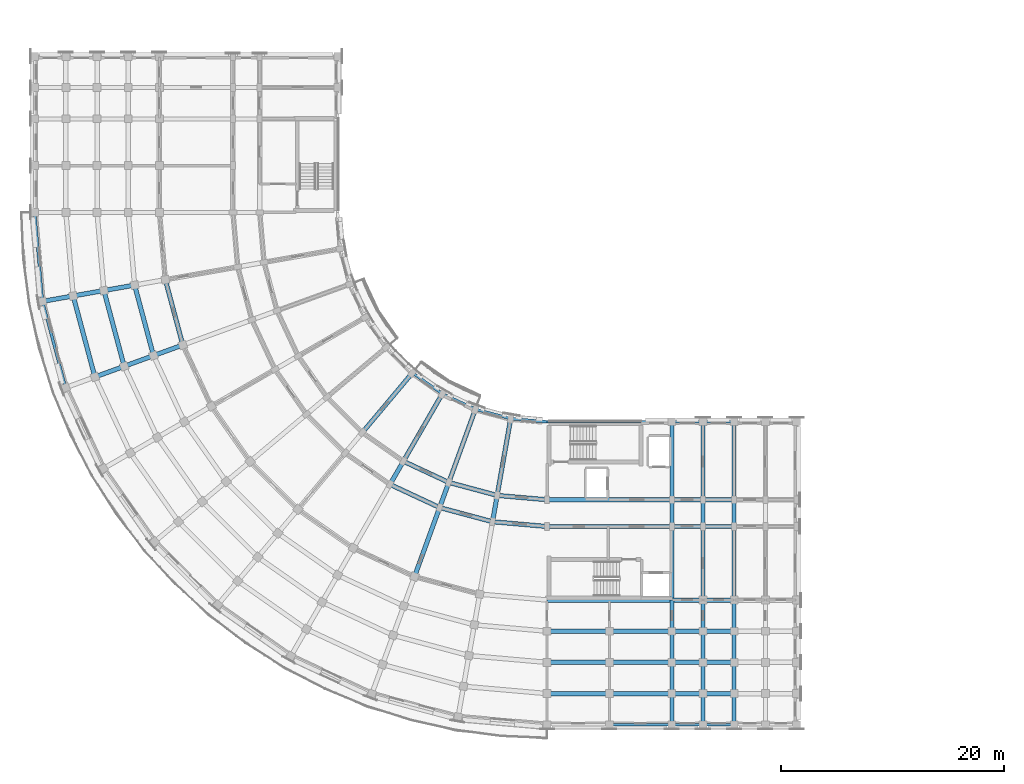
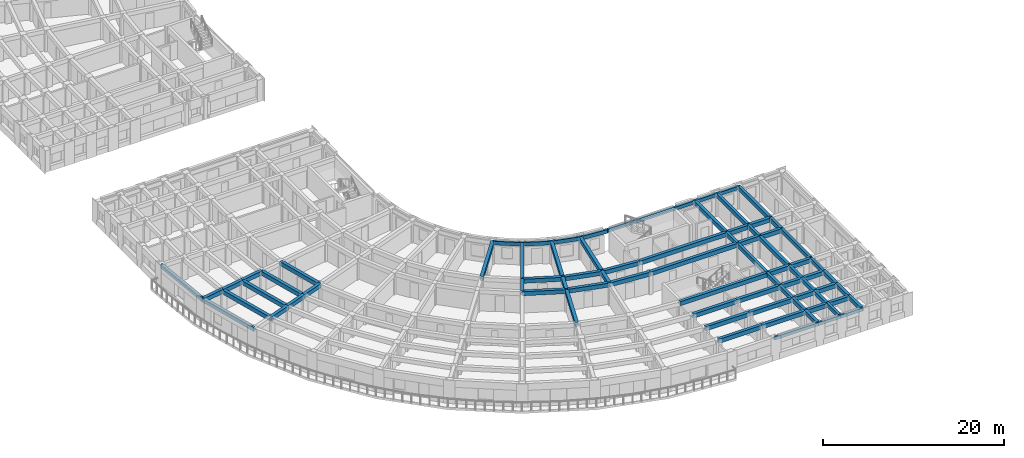
# One storey, part 5 of 57: 78 beams.
"""IFC4 building model written with IfcOpenShell, lengths in metres."""

from ifc_helpers import new_model, si_unit, direction, frame, origin, origin_2d, place, context, subcontext, project, spatial, rectangle, extrude, material, material_profile, profile_set, type_object, element, save


model = new_model("IFC4")

# Units and contexts
model_context = context("Model", 3, precision=1e-05, world=origin(), true_north=direction((0.0, 1.0)))
body_context = subcontext(model_context, "Body", "Model", "MODEL_VIEW")
ifc_project = project(units=[si_unit("LENGTHUNIT", "METRE"), si_unit("AREAUNIT", "SQUARE_METRE"), si_unit("VOLUMEUNIT", "CUBIC_METRE"), si_unit("PLANEANGLEUNIT", "RADIAN"), si_unit("MASSUNIT", "GRAM", prefix="KILO")], contexts=[model_context])

# Site, building, storey
site_placement = place(None, origin())
site = spatial("IfcSite", under=ifc_project, at=site_placement, CompositionType="ELEMENT")
building_placement = place(site_placement, origin())
building = spatial("IfcBuilding", under=site, at=building_placement, Name="Kiranvali Square Residences", CompositionType="ELEMENT")
storey_placement = place(building_placement, frame((0.0, 0.0, 18.14990234375)))
storey = spatial("IfcBuildingStorey", under=building, at=storey_placement, Name="L05", CompositionType="ELEMENT", Elevation=18.14990234375)

# Beams
ifc_material_1 = material(Name="Concrete M40 (40 MPa)", Category="concrete")
ifc_material_profile_1 = material_profile(ifc_material_1, rectangle(XDim=0.35009765625, YDim=0.550048828125, at=origin_2d()), Name="RC 350x550")
ifc_profile_set_1 = profile_set([ifc_material_profile_1], Name="Concrete M40 (40 MPa)")
beam_type_1 = type_object("IfcBeamType", Name="BM-M40-350x550", PredefinedType="BEAM", material=ifc_profile_set_1)
beam_1_placement = place(storey_placement, frame((59.39990234375, 29.39990234375, 2.655029296875), z_axis=(0.0, -1.0, 0.0), x_axis=(1.0, 0.0, 0.0)))
element("IfcBeam", 1, at=beam_1_placement, inside=storey, type_object=beam_type_1, Name="L05 beam BM-C-L05-A1T1-01", PredefinedType="BEAM", context=body_context, shape_type="SweptSolid", body=[
    extrude(rectangle(XDim=0.35009765625, YDim=0.550048828125, at=origin_2d()), origin(), (0.0, 0.0, 1.0), 7.0),
])
beam_2_placement = place(storey_placement, frame((59.39990234375, 22.39990234375, 2.655029296875), z_axis=(0.0, -1.0, 0.0), x_axis=(1.0, 0.0, 0.0)))
element("IfcBeam", 2, at=beam_2_placement, inside=storey, type_object=beam_type_1, Name="L05 beam BM-C-L05-A1T1-12", PredefinedType="BEAM", context=body_context, shape_type="SweptSolid", body=[
    extrude(rectangle(XDim=0.35009765625, YDim=0.550048828125, at=origin_2d()), origin(), (0.0, 0.0, 1.0), 2.39990234375),
])
beam_3_placement = place(storey_placement, frame((59.39990234375, 20.0, 2.655029296875), z_axis=(0.0, -1.0, 0.0), x_axis=(1.0, 0.0, 0.0)))
element("IfcBeam", 3, at=beam_3_placement, inside=storey, type_object=beam_type_1, Name="L05 beam BM-C-L05-A1T1-23", PredefinedType="BEAM", context=body_context, shape_type="SweptSolid", body=[
    extrude(rectangle(XDim=0.35009765625, YDim=0.550048828125, at=origin_2d()), origin(), (0.0, 0.0, 1.0), 6.60009765625),
])
beam_4_placement = place(storey_placement, frame((59.39990234375, 13.39990234375, 2.655029296875), z_axis=(0.0, -1.0, 0.0), x_axis=(1.0, 0.0, 0.0)))
element("IfcBeam", 4, at=beam_4_placement, inside=storey, type_object=beam_type_1, Name="L05 beam BM-C-L05-A1T1-34", PredefinedType="BEAM", context=body_context, shape_type="SweptSolid", body=[
    extrude(rectangle(XDim=0.35009765625, YDim=0.550048828125, at=origin_2d()), origin(), (0.0, 0.0, 1.0), 2.7998046875),
])
for number, where, z_axis, x_axis, name in (
    (5, (59.39990234375, 10.60009765625, 2.655029296875), (0.0, -1.0, 0.0), (1.0, 0.0, 0.0), "L05 beam BM-C-L05-A1T1-45"),
    (6, (59.39990234375, 7.800048828125, 2.655029296875), (0.0, -1.0, 0.0), (1.0, 0.0, 0.0), "L05 beam BM-C-L05-A1T1-56"),
    (7, (59.39990234375, 5.0, 2.695068359375), (0.0, -1.0, 0.0), (1.0, 0.0, 0.0), "L05 beam BM-C-L05-A1T1-67"),
):
    element("IfcBeam", number, at=place(storey_placement, frame(where, z_axis=z_axis, x_axis=x_axis)), inside=storey, type_object=beam_type_1, Name=name, PredefinedType="BEAM", context=body_context, shape_type="SweptSolid", body=[
        extrude(rectangle(XDim=0.35009765625, YDim=0.550048828125, at=origin_2d()), origin(), (0.0, 0.0, 1.0), 2.800048828125),
    ])
beam_5_placement = place(storey_placement, frame((62.199951171875, 29.39990234375, 2.655029296875), z_axis=(0.0, -1.0, 0.0), x_axis=(1.0, 0.0, 0.0)))
element("IfcBeam", 8, at=beam_5_placement, inside=storey, type_object=beam_type_1, Name="L05 beam BM-C-L05-A1T2-01", PredefinedType="BEAM", context=body_context, shape_type="SweptSolid", body=[
    extrude(rectangle(XDim=0.35009765625, YDim=0.550048828125, at=origin_2d()), origin(), (0.0, 0.0, 1.0), 7.0),
])
beam_6_placement = place(storey_placement, frame((62.199951171875, 22.39990234375, 2.655029296875), z_axis=(0.0, -1.0, 0.0), x_axis=(1.0, 0.0, 0.0)))
element("IfcBeam", 9, at=beam_6_placement, inside=storey, type_object=beam_type_1, Name="L05 beam BM-C-L05-A1T2-12", PredefinedType="BEAM", context=body_context, shape_type="SweptSolid", body=[
    extrude(rectangle(XDim=0.35009765625, YDim=0.550048828125, at=origin_2d()), origin(), (0.0, 0.0, 1.0), 2.39990234375),
])
beam_7_placement = place(storey_placement, frame((62.199951171875, 20.0, 2.655029296875), z_axis=(0.0, -1.0, 0.0), x_axis=(1.0, 0.0, 0.0)))
element("IfcBeam", 10, at=beam_7_placement, inside=storey, type_object=beam_type_1, Name="L05 beam BM-C-L05-A1T2-23", PredefinedType="BEAM", context=body_context, shape_type="SweptSolid", body=[
    extrude(rectangle(XDim=0.35009765625, YDim=0.550048828125, at=origin_2d()), origin(), (0.0, 0.0, 1.0), 6.60009765625),
])
beam_8_placement = place(storey_placement, frame((62.199951171875, 13.39990234375, 2.655029296875), z_axis=(0.0, -1.0, 0.0), x_axis=(1.0, 0.0, 0.0)))
element("IfcBeam", 11, at=beam_8_placement, inside=storey, type_object=beam_type_1, Name="L05 beam BM-C-L05-A1T2-34", PredefinedType="BEAM", context=body_context, shape_type="SweptSolid", body=[
    extrude(rectangle(XDim=0.35009765625, YDim=0.550048828125, at=origin_2d()), origin(), (0.0, 0.0, 1.0), 2.7998046875),
])
for number, where, z_axis, x_axis, name in (
    (12, (62.199951171875, 10.60009765625, 2.655029296875), (0.0, -1.0, 0.0), (1.0, 0.0, 0.0), "L05 beam BM-C-L05-A1T2-45"),
    (13, (62.199951171875, 7.800048828125, 2.655029296875), (0.0, -1.0, 0.0), (1.0, 0.0, 0.0), "L05 beam BM-C-L05-A1T2-56"),
    (14, (62.199951171875, 5.0, 2.695068359375), (0.0, -1.0, 0.0), (1.0, 0.0, 0.0), "L05 beam BM-C-L05-A1T2-67"),
):
    element("IfcBeam", number, at=place(storey_placement, frame(where, z_axis=z_axis, x_axis=x_axis)), inside=storey, type_object=beam_type_1, Name=name, PredefinedType="BEAM", context=body_context, shape_type="SweptSolid", body=[
        extrude(rectangle(XDim=0.35009765625, YDim=0.550048828125, at=origin_2d()), origin(), (0.0, 0.0, 1.0), 2.800048828125),
    ])
beam_9_placement = place(storey_placement, frame((65.0, 29.39990234375, 2.655029296875), z_axis=(0.0, -1.0, 0.0), x_axis=(1.0, 0.0, 0.0)))
element("IfcBeam", 15, at=beam_9_placement, inside=storey, type_object=beam_type_1, Name="L05 beam BM-C-L05-A1T3-01", PredefinedType="BEAM", context=body_context, shape_type="SweptSolid", body=[
    extrude(rectangle(XDim=0.35009765625, YDim=0.550048828125, at=origin_2d()), origin(), (0.0, 0.0, 1.0), 7.0),
])
beam_10_placement = place(storey_placement, frame((65.0, 22.39990234375, 2.655029296875), z_axis=(0.0, -1.0, 0.0), x_axis=(1.0, 0.0, 0.0)))
element("IfcBeam", 16, at=beam_10_placement, inside=storey, type_object=beam_type_1, Name="L05 beam BM-C-L05-A1T3-12", PredefinedType="BEAM", context=body_context, shape_type="SweptSolid", body=[
    extrude(rectangle(XDim=0.35009765625, YDim=0.550048828125, at=origin_2d()), origin(), (0.0, 0.0, 1.0), 2.39990234375),
])
beam_11_placement = place(storey_placement, frame((65.0, 20.0, 2.655029296875), z_axis=(0.0, -1.0, 0.0), x_axis=(1.0, 0.0, 0.0)))
element("IfcBeam", 17, at=beam_11_placement, inside=storey, type_object=beam_type_1, Name="L05 beam BM-C-L05-A1T3-23", PredefinedType="BEAM", context=body_context, shape_type="SweptSolid", body=[
    extrude(rectangle(XDim=0.35009765625, YDim=0.550048828125, at=origin_2d()), origin(), (0.0, 0.0, 1.0), 6.60009765625),
])
beam_12_placement = place(storey_placement, frame((65.0, 13.39990234375, 2.655029296875), z_axis=(0.0, -1.0, 0.0), x_axis=(1.0, 0.0, 0.0)))
element("IfcBeam", 18, at=beam_12_placement, inside=storey, type_object=beam_type_1, Name="L05 beam BM-C-L05-A1T3-34", PredefinedType="BEAM", context=body_context, shape_type="SweptSolid", body=[
    extrude(rectangle(XDim=0.35009765625, YDim=0.550048828125, at=origin_2d()), origin(), (0.0, 0.0, 1.0), 2.7998046875),
])
for number, where, z_axis, x_axis, name in (
    (19, (65.0, 10.60009765625, 2.655029296875), (0.0, -1.0, 0.0), (1.0, 0.0, 0.0), "L05 beam BM-C-L05-A1T3-45"),
    (20, (65.0, 7.800048828125, 2.655029296875), (0.0, -1.0, 0.0), (1.0, 0.0, 0.0), "L05 beam BM-C-L05-A1T3-56"),
    (21, (65.0, 5.0, 2.695068359375), (0.0, -1.0, 0.0), (1.0, 0.0, 0.0), "L05 beam BM-C-L05-A1T3-67"),
):
    element("IfcBeam", number, at=place(storey_placement, frame(where, z_axis=z_axis, x_axis=x_axis)), inside=storey, type_object=beam_type_1, Name=name, PredefinedType="BEAM", context=body_context, shape_type="SweptSolid", body=[
        extrude(rectangle(XDim=0.35009765625, YDim=0.550048828125, at=origin_2d()), origin(), (0.0, 0.0, 1.0), 2.800048828125),
    ])
ifc_material_2 = material(Name="Concrete M45 (45 MPa)", Category="concrete")
ifc_material_profile_2 = material_profile(ifc_material_2, rectangle(XDim=0.39990234375, YDim=0.550048828125, at=origin_2d()), Name="RC 400x550")
ifc_profile_set_2 = profile_set([ifc_material_profile_2], Name="Concrete M45 (45 MPa)")
beam_type_2 = type_object("IfcBeamType", Name="BM-M45-400x550", PredefinedType="BEAM", material=ifc_profile_set_2)
beam_13_placement = place(storey_placement, frame((48.199951171875, 22.39990234375, 2.655029296875), z_axis=(-0.996191949488, 0.087187153726, 0.0), x_axis=(-0.087187153726, -0.996191949488, 0.0)))
element("IfcBeam", 22, at=beam_13_placement, inside=storey, type_object=beam_type_2, Name="L05 beam BM-C-L05-C00-R1", PredefinedType="BEAM", context=body_context, shape_type="SweptSolid", body=[
    extrude(rectangle(XDim=0.39990234375, YDim=0.550048828125, at=origin_2d()), origin(), (0.0, 0.0, 1.0), 4.4970703125),
])
beam_14_placement = place(storey_placement, frame((48.199951171875, 20.0, 2.655029296875), z_axis=(-0.996193663584, 0.087167566415, 0.0), x_axis=(-0.087167566415, -0.996193663584, 0.0)))
element("IfcBeam", 23, at=beam_14_placement, inside=storey, type_object=beam_type_2, Name="L05 beam BM-C-L05-C00-R2", PredefinedType="BEAM", context=body_context, shape_type="SweptSolid", body=[
    extrude(rectangle(XDim=0.39990234375, YDim=0.550048828125, at=origin_2d()), origin(), (0.0, 0.0, 1.0), 4.91552734375),
])
beam_15_placement = place(storey_placement, frame((43.719970703125, 22.7919921875, 2.655029296875), z_axis=(-0.965934240054, 0.258787642463, 0.0), x_axis=(-0.258787642463, -0.965934240054, 0.0)))
element("IfcBeam", 24, at=beam_15_placement, inside=storey, type_object=beam_type_2, Name="L05 beam BM-C-L05-C01-R1", PredefinedType="BEAM", context=body_context, shape_type="SweptSolid", body=[
    extrude(rectangle(XDim=0.39990234375, YDim=0.550048828125, at=origin_2d()), origin(), (0.0, 0.0, 1.0), 4.497314453125),
])
beam_16_placement = place(storey_placement, frame((43.30322265625, 20.428466796875, 2.655029296875), z_axis=(-0.965930095386, 0.258803112091, 0.0), x_axis=(-0.258803112091, -0.965930095386, 0.0)))
element("IfcBeam", 25, at=beam_16_placement, inside=storey, type_object=beam_type_2, Name="L05 beam BM-C-L05-C01-R2", PredefinedType="BEAM", context=body_context, shape_type="SweptSolid", body=[
    extrude(rectangle(XDim=0.39990234375, YDim=0.550048828125, at=origin_2d()), origin(), (0.0, 0.0, 1.0), 4.915771484375),
])
beam_17_placement = place(storey_placement, frame((39.3759765625, 23.955810546875, 2.655029296875), z_axis=(-0.906307919131, 0.422617978463, 0.0), x_axis=(-0.422617978463, -0.906307919131, 0.0)))
element("IfcBeam", 26, at=beam_17_placement, inside=storey, type_object=beam_type_2, Name="L05 beam BM-C-L05-C02-R1", PredefinedType="BEAM", context=body_context, shape_type="SweptSolid", body=[
    extrude(rectangle(XDim=0.39990234375, YDim=0.550048828125, at=origin_2d()), origin(), (0.0, 0.0, 1.0), 4.497314453125),
])
beam_18_placement = place(storey_placement, frame((38.554931640625, 21.70068359375, 2.655029296875), z_axis=(-0.906302381024, 0.422629854778, 0.0), x_axis=(-0.422629854778, -0.906302381024, 0.0)))
element("IfcBeam", 27, at=beam_18_placement, inside=storey, type_object=beam_type_2, Name="L05 beam BM-C-L05-C02-R2", PredefinedType="BEAM", context=body_context, shape_type="SweptSolid", body=[
    extrude(rectangle(XDim=0.39990234375, YDim=0.550048828125, at=origin_2d()), origin(), (0.0, 0.0, 1.0), 4.915283203125),
])
beam_19_placement = place(storey_placement, frame((15.498779296875, 36.297607421875, 2.655029296875), z_axis=(-0.258827283048, 0.965923618901, 0.0), x_axis=(-0.965923618901, -0.258827283048, 0.0)))
element("IfcBeam", 28, at=beam_19_placement, inside=storey, type_object=beam_type_2, Name="L05 beam BM-C-L05-C07-R3", PredefinedType="BEAM", context=body_context, shape_type="SweptSolid", body=[
    extrude(rectangle(XDim=0.39990234375, YDim=0.550048828125, at=origin_2d()), origin(), (0.0, 0.0, 1.0), 6.066162109375),
])
beam_20_placement = place(storey_placement, frame((12.86767578125, 35.340087890625, 2.655029296875), z_axis=(-0.258847178297, 0.965918287583, 0.0), x_axis=(-0.965918287583, -0.258847178297, 0.0)))
element("IfcBeam", 29, at=beam_20_placement, inside=storey, type_object=beam_type_2, Name="L05 beam BM-C-L05-C07-R4", PredefinedType="BEAM", context=body_context, shape_type="SweptSolid", body=[
    extrude(rectangle(XDim=0.39990234375, YDim=0.550048828125, at=origin_2d()), origin(), (0.0, 0.0, 1.0), 6.55419921875),
])
beam_21_placement = place(storey_placement, frame((10.236328125, 34.38232421875, 2.655029296875), z_axis=(-0.258799624492, 0.965931029817, 0.0), x_axis=(-0.965931029817, -0.258799624492, 0.0)))
element("IfcBeam", 30, at=beam_21_placement, inside=storey, type_object=beam_type_2, Name="L05 beam BM-C-L05-C07-R5", PredefinedType="BEAM", context=body_context, shape_type="SweptSolid", body=[
    extrude(rectangle(XDim=0.39990234375, YDim=0.550048828125, at=origin_2d()), origin(), (0.0, 0.0, 1.0), 7.042236328125),
])
beam_22_placement = place(storey_placement, frame((7.605224609375, 33.4248046875, 2.655029296875), z_axis=(-0.258818733833, 0.965925909693, 0.0), x_axis=(-0.965925909693, -0.258818733833, 0.0)))
element("IfcBeam", 31, at=beam_22_placement, inside=storey, type_object=beam_type_2, Name="L05 beam BM-C-L05-C07-R6", PredefinedType="BEAM", context=body_context, shape_type="SweptSolid", body=[
    extrude(rectangle(XDim=0.39990234375, YDim=0.550048828125, at=origin_2d()), origin(), (0.0, 0.0, 1.0), 7.5302734375),
])
beam_23_placement = place(storey_placement, frame((44.935302734375, 29.685546875, 2.655029296875), z_axis=(-0.173622177865, -0.984812337125, 0.0), x_axis=(0.984812337125, -0.173622177865, 0.0)))
element("IfcBeam", 32, at=beam_23_placement, inside=storey, type_object=beam_type_2, Name="L05 beam BM-C-L05-RAD01-01", PredefinedType="BEAM", context=body_context, shape_type="SweptSolid", body=[
    extrude(rectangle(XDim=0.39990234375, YDim=0.550048828125, at=origin_2d()), origin(), (0.0, 0.0, 1.0), 6.999755859375),
])
beam_24_placement = place(storey_placement, frame((43.719970703125, 22.7919921875, 2.655029296875), z_axis=(-0.173646056486, -0.984808127031, 0.0), x_axis=(0.984808127031, -0.173646056486, 0.0)))
element("IfcBeam", 33, at=beam_24_placement, inside=storey, type_object=beam_type_2, Name="L05 beam BM-C-L05-RAD01-12", PredefinedType="BEAM", context=body_context, shape_type="SweptSolid", body=[
    extrude(rectangle(XDim=0.39990234375, YDim=0.550048828125, at=origin_2d()), origin(), (0.0, 0.0, 1.0), 2.39990234375),
])
beam_25_placement = place(storey_placement, frame((41.77001953125, 30.53369140625, 2.655029296875), z_axis=(-0.342006283793, -0.939697665127, 0.0), x_axis=(0.939697665127, -0.342006283793, 0.0)))
element("IfcBeam", 34, at=beam_25_placement, inside=storey, type_object=beam_type_2, Name="L05 beam BM-C-L05-RAD02-01", PredefinedType="BEAM", context=body_context, shape_type="SweptSolid", body=[
    extrude(rectangle(XDim=0.39990234375, YDim=0.550048828125, at=origin_2d()), origin(), (0.0, 0.0, 1.0), 7.0),
])
beam_26_placement = place(storey_placement, frame((39.3759765625, 23.955810546875, 2.655029296875), z_axis=(-0.342110593602, -0.939659694648, 0.0), x_axis=(0.939659694648, -0.342110593602, 0.0)))
element("IfcBeam", 35, at=beam_26_placement, inside=storey, type_object=beam_type_2, Name="L05 beam BM-C-L05-RAD02-12", PredefinedType="BEAM", context=body_context, shape_type="SweptSolid", body=[
    extrude(rectangle(XDim=0.39990234375, YDim=0.550048828125, at=origin_2d()), origin(), (0.0, 0.0, 1.0), 2.39990234375),
])
beam_27_placement = place(storey_placement, frame((38.554931640625, 21.70068359375, 2.655029296875), z_axis=(-0.342022238372, -0.939691858249, 0.0), x_axis=(0.939691858249, -0.342022238372, 0.0)))
element("IfcBeam", 36, at=beam_27_placement, inside=storey, type_object=beam_type_2, Name="L05 beam BM-C-L05-RAD02-23", PredefinedType="BEAM", context=body_context, shape_type="SweptSolid", body=[
    extrude(rectangle(XDim=0.39990234375, YDim=0.550048828125, at=origin_2d()), origin(), (0.0, 0.0, 1.0), 6.599853515625),
])
beam_28_placement = place(storey_placement, frame((38.800048828125, 31.918701171875, 2.655029296875), z_axis=(-0.499995173006, -0.866028190633, 0.0), x_axis=(0.866028190633, -0.499995173006, 0.0)))
element("IfcBeam", 37, at=beam_28_placement, inside=storey, type_object=beam_type_2, Name="L05 beam BM-C-L05-RAD03-01", PredefinedType="BEAM", context=body_context, shape_type="SweptSolid", body=[
    extrude(rectangle(XDim=0.39990234375, YDim=0.550048828125, at=origin_2d()), origin(), (0.0, 0.0, 1.0), 7.0),
])
beam_29_placement = place(storey_placement, frame((35.300048828125, 25.8564453125, 2.655029296875), z_axis=(-0.500001309137, -0.866024647952, 0.0), x_axis=(0.866024647952, -0.500001309137, 0.0)))
element("IfcBeam", 38, at=beam_29_placement, inside=storey, type_object=beam_type_2, Name="L05 beam BM-C-L05-RAD03-12", PredefinedType="BEAM", context=body_context, shape_type="SweptSolid", body=[
    extrude(rectangle(XDim=0.39990234375, YDim=0.550048828125, at=origin_2d()), origin(), (0.0, 0.0, 1.0), 2.39990234375),
])
beam_30_placement = place(storey_placement, frame((36.115478515625, 33.79833984375, 2.655029296875), z_axis=(-0.642787931032, -0.766044173478, 0.0), x_axis=(0.766044173478, -0.642787931032, 0.0)))
element("IfcBeam", 39, at=beam_30_placement, inside=storey, type_object=beam_type_2, Name="L05 beam BM-C-L05-RAD04-01", PredefinedType="BEAM", context=body_context, shape_type="SweptSolid", body=[
    extrude(rectangle(XDim=0.39990234375, YDim=0.550048828125, at=origin_2d()), origin(), (0.0, 0.0, 1.0), 7.0),
])
beam_31_placement = place(storey_placement, frame((15.498779296875, 36.297607421875, 2.655029296875), z_axis=(-0.93970683422, -0.341981089711, 0.0), x_axis=(0.341981089711, -0.93970683422, 0.0)))
element("IfcBeam", 40, at=beam_31_placement, inside=storey, type_object=beam_type_2, Name="L05 beam BM-C-L05-RAD07-34", PredefinedType="BEAM", context=body_context, shape_type="SweptSolid", body=[
    extrude(rectangle(XDim=0.39990234375, YDim=0.550048828125, at=origin_2d()), origin(), (0.0, 0.0, 1.0), 2.7998046875),
])
beam_32_placement = place(storey_placement, frame((12.86767578125, 35.340087890625, 2.655029296875), z_axis=(-0.939689011208, -0.342030060398, 0.0), x_axis=(0.342030060398, -0.939689011208, 0.0)))
element("IfcBeam", 41, at=beam_32_placement, inside=storey, type_object=beam_type_2, Name="L05 beam BM-C-L05-RAD07-45", PredefinedType="BEAM", context=body_context, shape_type="SweptSolid", body=[
    extrude(rectangle(XDim=0.39990234375, YDim=0.550048828125, at=origin_2d()), origin(), (0.0, 0.0, 1.0), 2.80029296875),
])
for number, where, z_axis, x_axis, name in (
    (42, (10.236328125, 34.38232421875, 2.655029296875), (-0.93970683422, -0.341981089711, 0.0), (0.341981089711, -0.93970683422, 0.0), "L05 beam BM-C-L05-RAD07-56"),
    (43, (11.171142578125, 41.6708984375, 2.655029296875), (-0.984799355489, -0.173695795656, 0.0), (0.173695795656, -0.984799355489, 0.0), "L05 beam BM-C-L05-RAD08-45"),
):
    element("IfcBeam", number, at=place(storey_placement, frame(where, z_axis=z_axis, x_axis=x_axis)), inside=storey, type_object=beam_type_2, Name=name, PredefinedType="BEAM", context=body_context, shape_type="SweptSolid", body=[
        extrude(rectangle(XDim=0.39990234375, YDim=0.550048828125, at=origin_2d()), origin(), (0.0, 0.0, 1.0), 2.7998046875),
    ])
beam_33_placement = place(storey_placement, frame((8.413818359375, 41.1845703125, 2.655029296875), z_axis=(-0.984816895441, -0.173596320392, 0.0), x_axis=(0.173596320392, -0.984816895441, 0.0)))
element("IfcBeam", 44, at=beam_33_placement, inside=storey, type_object=beam_type_2, Name="L05 beam BM-C-L05-RAD08-56", PredefinedType="BEAM", context=body_context, shape_type="SweptSolid", body=[
    extrude(rectangle(XDim=0.39990234375, YDim=0.550048828125, at=origin_2d()), origin(), (0.0, 0.0, 1.0), 2.800048828125),
])
beam_34_placement = place(storey_placement, frame((5.65625, 40.698486328125, 2.695068359375), z_axis=(-0.984799355489, -0.173695795656, 0.0), x_axis=(0.173695795656, -0.984799355489, 0.0)))
element("IfcBeam", 45, at=beam_34_placement, inside=storey, type_object=beam_type_2, Name="L05 beam BM-C-L05-RAD08-67", PredefinedType="BEAM", context=body_context, shape_type="SweptSolid", body=[
    extrude(rectangle(XDim=0.39990234375, YDim=0.550048828125, at=origin_2d()), origin(), (0.0, 0.0, 1.0), 2.7998046875),
])
beam_35_placement = place(storey_placement, frame((48.199951171875, 22.39990234375, 2.655029296875), z_axis=(1.0, 0.0, 0.0), x_axis=(0.0, 1.0, 0.0)))
element("IfcBeam", 46, at=beam_35_placement, inside=storey, type_object=beam_type_2, Name="L05 beam BM-C-L05-A1U0-R1", PredefinedType="BEAM", context=body_context, shape_type="SweptSolid", body=[
    extrude(rectangle(XDim=0.39990234375, YDim=0.550048828125, at=origin_2d()), origin(), (0.0, 0.0, 1.0), 11.199951171875),
])
for number, where, z_axis, x_axis, name in (
    (47, (59.39990234375, 22.39990234375, 2.655029296875), (1.0, 0.0, 0.0), (0.0, 1.0, 0.0), "L05 beam BM-C-L05-A1U1-R1"),
    (48, (62.199951171875, 22.39990234375, 2.655029296875), (1.0, 0.0, 0.0), (0.0, 1.0, 0.0), "L05 beam BM-C-L05-A1U2-R1"),
):
    element("IfcBeam", number, at=place(storey_placement, frame(where, z_axis=z_axis, x_axis=x_axis)), inside=storey, type_object=beam_type_2, Name=name, PredefinedType="BEAM", context=body_context, shape_type="SweptSolid", body=[
        extrude(rectangle(XDim=0.39990234375, YDim=0.550048828125, at=origin_2d()), origin(), (0.0, 0.0, 1.0), 2.800048828125),
    ])
beam_36_placement = place(storey_placement, frame((48.199951171875, 20.0, 2.655029296875), z_axis=(1.0, 0.0, 0.0), x_axis=(0.0, 1.0, 0.0)))
element("IfcBeam", 49, at=beam_36_placement, inside=storey, type_object=beam_type_2, Name="L05 beam BM-C-L05-A1U0-R2", PredefinedType="BEAM", context=body_context, shape_type="SweptSolid", body=[
    extrude(rectangle(XDim=0.39990234375, YDim=0.550048828125, at=origin_2d()), origin(), (0.0, 0.0, 1.0), 11.199951171875),
])
for number, where, z_axis, x_axis, name in (
    (50, (59.39990234375, 20.0, 2.655029296875), (1.0, 0.0, 0.0), (0.0, 1.0, 0.0), "L05 beam BM-C-L05-A1U1-R2"),
    (51, (62.199951171875, 20.0, 2.655029296875), (1.0, 0.0, 0.0), (0.0, 1.0, 0.0), "L05 beam BM-C-L05-A1U2-R2"),
):
    element("IfcBeam", number, at=place(storey_placement, frame(where, z_axis=z_axis, x_axis=x_axis)), inside=storey, type_object=beam_type_2, Name=name, PredefinedType="BEAM", context=body_context, shape_type="SweptSolid", body=[
        extrude(rectangle(XDim=0.39990234375, YDim=0.550048828125, at=origin_2d()), origin(), (0.0, 0.0, 1.0), 2.800048828125),
    ])
beam_37_placement = place(storey_placement, frame((48.199951171875, 13.39990234375, 2.655029296875), z_axis=(1.0, 0.0, 0.0), x_axis=(0.0, 1.0, 0.0)))
element("IfcBeam", 52, at=beam_37_placement, inside=storey, type_object=beam_type_2, Name="L05 beam BM-C-L05-A1U0-R3", PredefinedType="BEAM", context=body_context, shape_type="SweptSolid", body=[
    extrude(rectangle(XDim=0.39990234375, YDim=0.550048828125, at=origin_2d()), origin(), (0.0, 0.0, 1.0), 11.199951171875),
])
for number, where, z_axis, x_axis, name in (
    (53, (59.39990234375, 13.39990234375, 2.655029296875), (1.0, 0.0, 0.0), (0.0, 1.0, 0.0), "L05 beam BM-C-L05-A1U1-R3"),
    (54, (62.199951171875, 13.39990234375, 2.655029296875), (1.0, 0.0, 0.0), (0.0, 1.0, 0.0), "L05 beam BM-C-L05-A1U2-R3"),
):
    element("IfcBeam", number, at=place(storey_placement, frame(where, z_axis=z_axis, x_axis=x_axis)), inside=storey, type_object=beam_type_2, Name=name, PredefinedType="BEAM", context=body_context, shape_type="SweptSolid", body=[
        extrude(rectangle(XDim=0.39990234375, YDim=0.550048828125, at=origin_2d()), origin(), (0.0, 0.0, 1.0), 2.800048828125),
    ])
beam_38_placement = place(storey_placement, frame((48.199951171875, 10.60009765625, 2.655029296875), z_axis=(1.0, 0.0, 0.0), x_axis=(0.0, 1.0, 0.0)))
element("IfcBeam", 55, at=beam_38_placement, inside=storey, type_object=beam_type_2, Name="L05 beam BM-C-L05-A1U0-R4", PredefinedType="BEAM", context=body_context, shape_type="SweptSolid", body=[
    extrude(rectangle(XDim=0.39990234375, YDim=0.550048828125, at=origin_2d()), origin(), (0.0, 0.0, 1.0), 5.60009765625),
])
beam_39_placement = place(storey_placement, frame((53.800048828125, 10.60009765625, 2.655029296875), z_axis=(1.0, 0.0, 0.0), x_axis=(0.0, 1.0, 0.0)))
element("IfcBeam", 56, at=beam_39_placement, inside=storey, type_object=beam_type_2, Name="L05 beam BM-C-L05-A1U1-R4", PredefinedType="BEAM", context=body_context, shape_type="SweptSolid", body=[
    extrude(rectangle(XDim=0.39990234375, YDim=0.550048828125, at=origin_2d()), origin(), (0.0, 0.0, 1.0), 5.599853515625),
])
for number, where, z_axis, x_axis, name in (
    (57, (59.39990234375, 10.60009765625, 2.655029296875), (1.0, 0.0, 0.0), (0.0, 1.0, 0.0), "L05 beam BM-C-L05-A1U2-R4"),
    (58, (62.199951171875, 10.60009765625, 2.655029296875), (1.0, 0.0, 0.0), (0.0, 1.0, 0.0), "L05 beam BM-C-L05-A1U3-R4"),
):
    element("IfcBeam", number, at=place(storey_placement, frame(where, z_axis=z_axis, x_axis=x_axis)), inside=storey, type_object=beam_type_2, Name=name, PredefinedType="BEAM", context=body_context, shape_type="SweptSolid", body=[
        extrude(rectangle(XDim=0.39990234375, YDim=0.550048828125, at=origin_2d()), origin(), (0.0, 0.0, 1.0), 2.800048828125),
    ])
beam_40_placement = place(storey_placement, frame((48.199951171875, 7.800048828125, 2.655029296875), z_axis=(1.0, 0.0, 0.0), x_axis=(0.0, 1.0, 0.0)))
element("IfcBeam", 59, at=beam_40_placement, inside=storey, type_object=beam_type_2, Name="L05 beam BM-C-L05-A1U0-R5", PredefinedType="BEAM", context=body_context, shape_type="SweptSolid", body=[
    extrude(rectangle(XDim=0.39990234375, YDim=0.550048828125, at=origin_2d()), origin(), (0.0, 0.0, 1.0), 5.60009765625),
])
beam_41_placement = place(storey_placement, frame((53.800048828125, 7.800048828125, 2.655029296875), z_axis=(1.0, 0.0, 0.0), x_axis=(0.0, 1.0, 0.0)))
element("IfcBeam", 60, at=beam_41_placement, inside=storey, type_object=beam_type_2, Name="L05 beam BM-C-L05-A1U1-R5", PredefinedType="BEAM", context=body_context, shape_type="SweptSolid", body=[
    extrude(rectangle(XDim=0.39990234375, YDim=0.550048828125, at=origin_2d()), origin(), (0.0, 0.0, 1.0), 5.599853515625),
])
for number, where, z_axis, x_axis, name in (
    (61, (59.39990234375, 7.800048828125, 2.655029296875), (1.0, 0.0, 0.0), (0.0, 1.0, 0.0), "L05 beam BM-C-L05-A1U2-R5"),
    (62, (62.199951171875, 7.800048828125, 2.655029296875), (1.0, 0.0, 0.0), (0.0, 1.0, 0.0), "L05 beam BM-C-L05-A1U3-R5"),
):
    element("IfcBeam", number, at=place(storey_placement, frame(where, z_axis=z_axis, x_axis=x_axis)), inside=storey, type_object=beam_type_2, Name=name, PredefinedType="BEAM", context=body_context, shape_type="SweptSolid", body=[
        extrude(rectangle(XDim=0.39990234375, YDim=0.550048828125, at=origin_2d()), origin(), (0.0, 0.0, 1.0), 2.800048828125),
    ])
beam_42_placement = place(storey_placement, frame((48.199951171875, 5.0, 2.655029296875), z_axis=(1.0, 0.0, 0.0), x_axis=(0.0, 1.0, 0.0)))
element("IfcBeam", 63, at=beam_42_placement, inside=storey, type_object=beam_type_2, Name="L05 beam BM-C-L05-A1U0-R6", PredefinedType="BEAM", context=body_context, shape_type="SweptSolid", body=[
    extrude(rectangle(XDim=0.39990234375, YDim=0.550048828125, at=origin_2d()), origin(), (0.0, 0.0, 1.0), 5.60009765625),
])
beam_43_placement = place(storey_placement, frame((53.800048828125, 5.0, 2.655029296875), z_axis=(1.0, 0.0, 0.0), x_axis=(0.0, 1.0, 0.0)))
element("IfcBeam", 64, at=beam_43_placement, inside=storey, type_object=beam_type_2, Name="L05 beam BM-C-L05-A1U1-R6", PredefinedType="BEAM", context=body_context, shape_type="SweptSolid", body=[
    extrude(rectangle(XDim=0.39990234375, YDim=0.550048828125, at=origin_2d()), origin(), (0.0, 0.0, 1.0), 5.599853515625),
])
for number, where, z_axis, x_axis, name in (
    (65, (59.39990234375, 5.0, 2.655029296875), (1.0, 0.0, 0.0), (0.0, 1.0, 0.0), "L05 beam BM-C-L05-A1U2-R6"),
    (66, (62.199951171875, 5.0, 2.655029296875), (1.0, 0.0, 0.0), (0.0, 1.0, 0.0), "L05 beam BM-C-L05-A1U3-R6"),
):
    element("IfcBeam", number, at=place(storey_placement, frame(where, z_axis=z_axis, x_axis=x_axis)), inside=storey, type_object=beam_type_2, Name=name, PredefinedType="BEAM", context=body_context, shape_type="SweptSolid", body=[
        extrude(rectangle(XDim=0.39990234375, YDim=0.550048828125, at=origin_2d()), origin(), (0.0, 0.0, 1.0), 2.800048828125),
    ])
ifc_material_profile_3 = material_profile(ifc_material_1, rectangle(XDim=0.25, YDim=0.449951171875, at=origin_2d()), Name="RC 250x450")
ifc_profile_set_3 = profile_set([ifc_material_profile_3], Name="Concrete M40 (40 MPa)")
beam_type_3 = type_object("IfcBeamType", Name="SPN-M40-250x450", PredefinedType="SPANDREL", material=ifc_profile_set_3)
beam_44_placement = place(storey_placement, frame((48.199951171875, 29.39990234375, 2.705078125), z_axis=(1.0, 0.0, 0.0), x_axis=(0.0, 1.0, 0.0)))
element("IfcBeam", 67, at=beam_44_placement, inside=storey, type_object=beam_type_3, Name="L05 beam BM-C-L05-A1U0-R0", PredefinedType="SPANDREL", context=body_context, shape_type="SweptSolid", body=[
    extrude(rectangle(XDim=0.25, YDim=0.449951171875, at=origin_2d()), origin(), (0.0, 0.0, 1.0), 11.199951171875),
])
for number, where, z_axis, x_axis, name in (
    (68, (59.39990234375, 29.39990234375, 2.705078125), (1.0, 0.0, 0.0), (0.0, 1.0, 0.0), "L05 beam BM-C-L05-A1U1-R0"),
    (69, (62.199951171875, 29.39990234375, 2.705078125), (1.0, 0.0, 0.0), (0.0, 1.0, 0.0), "L05 beam BM-C-L05-A1U2-R0"),
):
    element("IfcBeam", number, at=place(storey_placement, frame(where, z_axis=z_axis, x_axis=x_axis)), inside=storey, type_object=beam_type_3, Name=name, PredefinedType="SPANDREL", context=body_context, shape_type="SweptSolid", body=[
        extrude(rectangle(XDim=0.25, YDim=0.449951171875, at=origin_2d()), origin(), (0.0, 0.0, 1.0), 2.800048828125),
    ])
beam_45_placement = place(storey_placement, frame((53.800048828125, 2.199951171875, 2.7451171875), z_axis=(1.0, 0.0, 0.0), x_axis=(0.0, 1.0, 0.0)))
element("IfcBeam", 70, at=beam_45_placement, inside=storey, type_object=beam_type_3, Name="L05 beam BM-C-L05-A1U1-R7", PredefinedType="SPANDREL", context=body_context, shape_type="SweptSolid", body=[
    extrude(rectangle(XDim=0.25, YDim=0.449951171875, at=origin_2d()), origin(), (0.0, 0.0, 1.0), 5.599853515625),
])
for number, where, z_axis, x_axis, name in (
    (71, (59.39990234375, 2.199951171875, 2.7451171875), (1.0, 0.0, 0.0), (0.0, 1.0, 0.0), "L05 beam BM-C-L05-A1U2-R7"),
    (72, (62.199951171875, 2.199951171875, 2.7451171875), (1.0, 0.0, 0.0), (0.0, 1.0, 0.0), "L05 beam BM-C-L05-A1U3-R7"),
):
    element("IfcBeam", number, at=place(storey_placement, frame(where, z_axis=z_axis, x_axis=x_axis)), inside=storey, type_object=beam_type_3, Name=name, PredefinedType="SPANDREL", context=body_context, shape_type="SweptSolid", body=[
        extrude(rectangle(XDim=0.25, YDim=0.449951171875, at=origin_2d()), origin(), (0.0, 0.0, 1.0), 2.800048828125),
    ])
ifc_material_profile_4 = material_profile(ifc_material_1, rectangle(XDim=0.25, YDim=0.5, at=origin_2d()), Name="RC 250x500")
ifc_profile_set_4 = profile_set([ifc_material_profile_4], Name="Concrete M40 (40 MPa)")
beam_type_4 = type_object("IfcBeamType", Name="SPN-M40-250x500", PredefinedType="SPANDREL", material=ifc_profile_set_4)
beam_46_placement = place(storey_placement, frame((48.199951171875, 29.39990234375, 2.68017578125), z_axis=(-0.996194040944, 0.087163253657, 0.0), x_axis=(-0.087163253657, -0.996194040944, 0.0)))
element("IfcBeam", 73, at=beam_46_placement, inside=storey, type_object=beam_type_4, Name="L05 beam BM-C-L05-C00-R0", PredefinedType="SPANDREL", context=body_context, shape_type="SweptSolid", body=[
    extrude(rectangle(XDim=0.25, YDim=0.5, at=origin_2d()), origin(), (0.0, 0.0, 1.0), 3.277099609375),
])
beam_47_placement = place(storey_placement, frame((44.935302734375, 29.685546875, 2.68017578125), z_axis=(-0.965925105099, 0.258821736607, 0.0), x_axis=(-0.258821736607, -0.965925105099, 0.0)))
element("IfcBeam", 74, at=beam_47_placement, inside=storey, type_object=beam_type_4, Name="L05 beam BM-C-L05-C01-R0", PredefinedType="SPANDREL", context=body_context, shape_type="SweptSolid", body=[
    extrude(rectangle(XDim=0.25, YDim=0.5, at=origin_2d()), origin(), (0.0, 0.0, 1.0), 3.27685546875),
])
for number, where, z_axis, x_axis, name in (
    (75, (41.77001953125, 30.53369140625, 2.68017578125), (-0.90629730464, 0.422640740585, 0.0), (-0.422640740585, -0.90629730464, 0.0), "L05 beam BM-C-L05-C02-R0"),
    (76, (38.800048828125, 31.918701171875, 2.68017578125), (-0.81916891812, 0.573552337269, 0.0), (-0.573552337269, -0.81916891812, 0.0), "L05 beam BM-C-L05-C03-R0"),
):
    element("IfcBeam", number, at=place(storey_placement, frame(where, z_axis=z_axis, x_axis=x_axis)), inside=storey, type_object=beam_type_4, Name=name, PredefinedType="SPANDREL", context=body_context, shape_type="SweptSolid", body=[
        extrude(rectangle(XDim=0.25, YDim=0.5, at=origin_2d()), origin(), (0.0, 0.0, 1.0), 3.277099609375),
    ])
ifc_material_profile_5 = material_profile(ifc_material_1, rectangle(XDim=0.25, YDim=0.550048828125, at=origin_2d()), Name="RC 250x550")
ifc_profile_set_5 = profile_set([ifc_material_profile_5], Name="Concrete M40 (40 MPa)")
beam_type_5 = type_object("IfcBeamType", Name="SPN-M40-250x550", PredefinedType="SPANDREL", material=ifc_profile_set_5)
for number, where, z_axis, x_axis, name in (
    (77, (4.97412109375, 32.467041015625, 2.695068359375), (-0.258807108475, 0.96592902462, 0.0), (-0.96592902462, -0.258807108475, 0.0), "L05 beam BM-C-L05-C07-R7"),
    (78, (2.89892578125, 40.212158203125, 2.695068359375), (-0.087172238171, 0.996193254792, 0.0), (-0.996193254792, -0.087172238171, 0.0), "L05 beam BM-C-L05-C08-R7"),
):
    element("IfcBeam", number, at=place(storey_placement, frame(where, z_axis=z_axis, x_axis=x_axis)), inside=storey, type_object=beam_type_5, Name=name, PredefinedType="SPANDREL", context=body_context, shape_type="SweptSolid", body=[
        extrude(rectangle(XDim=0.25, YDim=0.550048828125, at=origin_2d()), origin(), (0.0, 0.0, 1.0), 8.018310546875),
    ])

save(model, "model.ifc")
